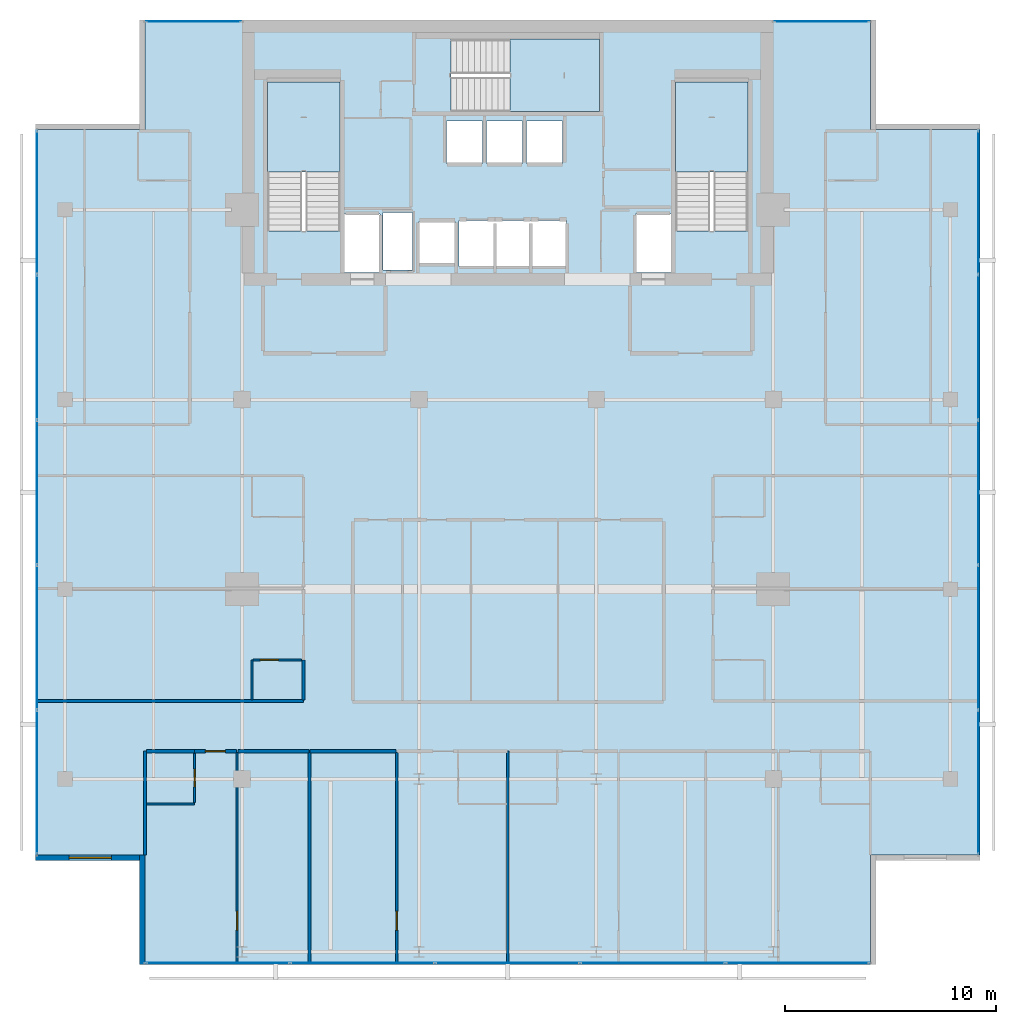
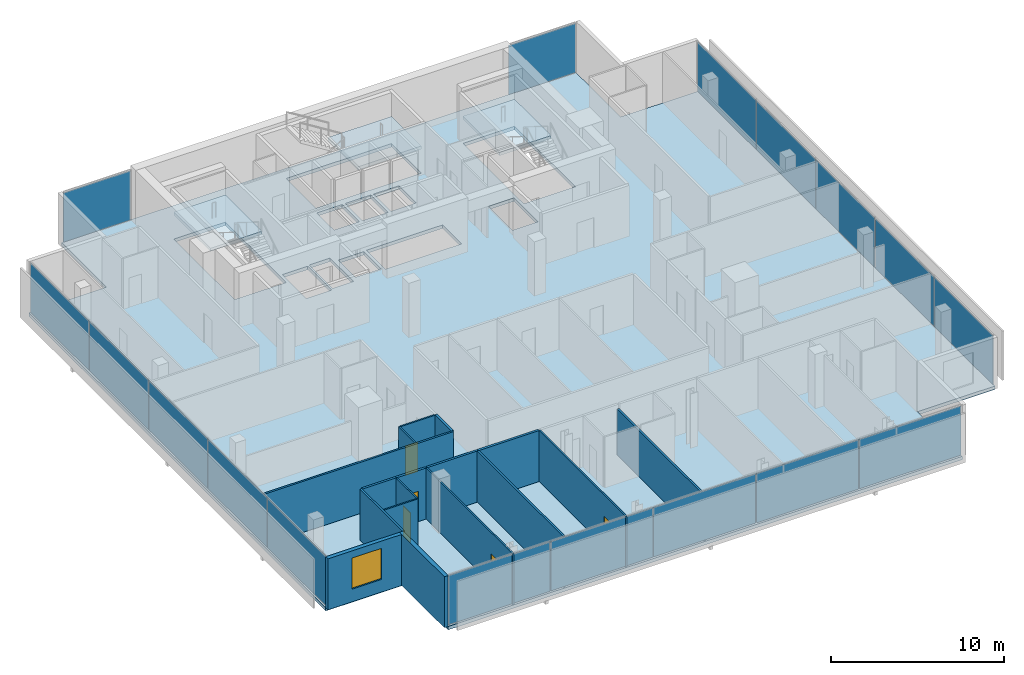
# One storey, part 19 of 25: 17 plates, 17 walls, 5 doors, 4 slabs, 1 window, 6 openings, 8 elements without a shape of their own.
"""IFC4 building model written with IfcOpenShell, lengths in metres."""

from ifc_helpers import new_model, si_unit, direction, frame, frame_2d, origin, origin_2d, place, context, subcontext, project, spatial, polyline, rectangle, outline, extrude, material, layer, layer_set, type_object, element, fill, aggregate, save


model = new_model("IFC4")

# Units and contexts
model_context = context("Model", 3, precision=1e-05, world=origin(), true_north=direction((0.0, 1.0)))
body_context = subcontext(model_context, "Body", "Model", "MODEL_VIEW")
ifc_project = project(units=[si_unit("LENGTHUNIT", "METRE"), si_unit("AREAUNIT", "SQUARE_METRE"), si_unit("VOLUMEUNIT", "CUBIC_METRE"), si_unit("PLANEANGLEUNIT", "RADIAN"), si_unit("MASSUNIT", "GRAM", prefix="KILO")], contexts=[model_context])

# Site, building, storey
site_placement = place(None, origin())
site = spatial("IfcSite", under=ifc_project, at=site_placement, CompositionType="ELEMENT")
building_placement = place(site_placement, origin())
building = spatial("IfcBuilding", under=site, at=building_placement, Name="Maruvema Waterfront Hotel and Observation Tower", CompositionType="ELEMENT")
storey_placement = place(building_placement, frame((0.0, 0.0, 308.699951171875)))
storey = spatial("IfcBuildingStorey", under=building, at=storey_placement, Name="L76", CompositionType="ELEMENT", Elevation=308.699951171875)

# Slab
ifc_material_1 = material(Name="Concrete C50/60", Category="concrete")
ifc_layer_1 = layer(ifc_material_1, 0.239990234375, Name="Reinforced Concrete Floor Slab 240 mm")
ifc_layer_set_1 = layer_set([ifc_layer_1], Name="Concrete C50/60")
slab_type_1 = type_object("IfcSlabType", Name="Reinforced Concrete Floor Slab 240 mm", PredefinedType="FLOOR", material=ifc_layer_set_1)
slab_1_placement = place(storey_placement, frame((0.0, 0.0, -0.239990234375)))
element("IfcSlab", 1, at=slab_1_placement, inside=storey, type_object=slab_type_1, Name="L76 Structural Floor Slab", PredefinedType="FLOOR", context=body_context, shape_type="SweptSolid", body=[
    extrude(outline(polyline([(20.60009765625, 9.199951171875), (55.0, 9.199951171875), (55.0, 14.39990234375), (60.199951171875, 14.39990234375), (60.199951171875, 48.800048828125), (55.0, 48.800048828125), (55.0, 54.0), (20.60009765625, 54.0), (20.60009765625, 48.800048828125), (15.39990234375, 48.800048828125), (15.39990234375, 14.39990234375), (20.60009765625, 14.39990234375), (20.60009765625, 9.199951171875)]), holes=[polyline([(26.39990234375, 44.00048828125), (26.39990234375, 51.050048828125), (29.85009765625, 51.050048828125), (29.85009765625, 44.00048828125), (26.39990234375, 44.00048828125)]), polyline([(30.050048828125, 44.800048828125), (31.75, 44.800048828125), (31.75, 42.02001953125), (30.050048828125, 42.02001953125), (30.050048828125, 44.800048828125)]), polyline([(31.8798828125, 42.139892578125), (31.8798828125, 44.860107421875), (33.280029296875, 44.860107421875), (33.280029296875, 42.139892578125), (31.8798828125, 42.139892578125)]), polyline([(33.60009765625, 44.449951171875), (35.300048828125, 44.449951171875), (35.300048828125, 42.449951171875), (33.60009765625, 42.449951171875), (33.60009765625, 44.449951171875)]), polyline([(34.89990234375, 49.199951171875), (36.60009765625, 49.199951171875), (36.60009765625, 47.199951171875), (34.89990234375, 47.199951171875), (34.89990234375, 49.199951171875)]), polyline([(36.800048828125, 47.199951171875), (36.800048828125, 49.199951171875), (38.5, 49.199951171875), (38.5, 47.199951171875), (36.800048828125, 47.199951171875)]), polyline([(35.5, 42.300048828125), (35.5, 44.5), (40.60009765625, 44.5), (40.60009765625, 42.300048828125), (35.5, 42.300048828125)]), polyline([(35.1005859375, 53.10009765625), (42.14990234375, 53.10009765625), (42.14990234375, 49.64990234375), (35.1005859375, 49.64990234375), (35.1005859375, 53.10009765625)]), polyline([(38.699951171875, 49.199951171875), (40.39990234375, 49.199951171875), (40.39990234375, 47.199951171875), (38.699951171875, 47.199951171875), (38.699951171875, 49.199951171875)]), polyline([(43.85009765625, 44.800048828125), (45.550048828125, 44.800048828125), (45.550048828125, 42.02001953125), (43.85009765625, 42.02001953125), (43.85009765625, 44.800048828125)]), polyline([(45.75, 44.00048828125), (45.75, 51.050048828125), (49.199951171875, 51.050048828125), (49.199951171875, 44.00048828125), (45.75, 44.00048828125)])]), origin(), (0.0, 0.0, 1.0), 0.239990234375),
])

# Curtain wall, plates
ifc_material_2 = material(Name="Anodised bronze aluminium and solar-control low-E IGU", Category="aluminium")
ifc_layer_2 = layer(ifc_material_2, 0.159912109375, Name="Zone 3 Champagne Inner Thermal Curtain Wall System CW-04")
ifc_layer_set_2 = layer_set([ifc_layer_2], Name="Anodised bronze aluminium and solar-control low-E IGU")
curtain_wall_type = type_object("IfcCurtainWallType", Name="Zone 3 Champagne Inner Thermal Curtain Wall System CW-04", PredefinedType="USERDEFINED", material=ifc_layer_set_2)
curtain_wall_1_placement = place(storey_placement, origin())
curtain_wall_1 = element("IfcCurtainWall", 2, at=curtain_wall_1_placement, inside=storey, type_object=curtain_wall_type, Name="L76 Curtain Wall CW-L76-S", ObjectType="UNITISED CURTAIN WALL", PredefinedType="USERDEFINED")
ifc_material_3 = material(Name="Laminated low-E solar-control double glazing", Category="glass")
ifc_layer_3 = layer(ifc_material_3, 0.035888671875, Name="Solar Control Double-Glazed Curtain Panel 36 mm")
ifc_layer_set_3 = layer_set([ifc_layer_3], Name="Laminated low-E solar-control double glazing")
plate_type = type_object("IfcPlateType", Name="Solar Control Double-Glazed Curtain Panel 36 mm", PredefinedType="CURTAIN_PANEL", material=ifc_layer_set_3)
plate_1_placement = place(storey_placement, frame((24.054931640625, 9.280029296875, 0.06005859375), z_axis=(0.0, 0.0, 1.0), x_axis=(1.0, 0.0, 0.0)))
plate_1 = element("IfcPlate", 3, at=plate_1_placement, type_object=plate_type, Name="CW-04 panel 1.1", PredefinedType="CURTAIN_PANEL", context=body_context, shape_type="SweptSolid", body=[
    extrude(rectangle(XDim=6.7900390625, YDim=0.028076171875, at=origin_2d()), origin(), (0.0, 0.0, 1.0), 3.489990234375),
])
plate_2_placement = place(storey_placement, frame((30.919921875, 9.280029296875, 0.06005859375), z_axis=(0.0, 0.0, 1.0), x_axis=(1.0, 0.0, 0.0)))
plate_2 = element("IfcPlate", 4, at=plate_2_placement, type_object=plate_type, Name="CW-04 panel 2.1", PredefinedType="CURTAIN_PANEL", context=body_context, shape_type="SweptSolid", body=[
    extrude(rectangle(XDim=6.820068359375, YDim=0.028076171875, at=origin_2d()), origin(), (0.0, 0.0, 1.0), 3.489990234375),
])
plate_3_placement = place(storey_placement, frame((37.800048828125, 9.280029296875, 0.06005859375), z_axis=(0.0, 0.0, 1.0), x_axis=(1.0, 0.0, 0.0)))
plate_3 = element("IfcPlate", 5, at=plate_3_placement, type_object=plate_type, Name="CW-04 panel 3.1", PredefinedType="CURTAIN_PANEL", context=body_context, shape_type="SweptSolid", body=[
    extrude(rectangle(XDim=6.820068359375, YDim=0.028076171875, at=origin_2d()), origin(), (0.0, 0.0, 1.0), 3.489990234375),
])
plate_4_placement = place(storey_placement, frame((44.679931640625, 9.280029296875, 0.06005859375), z_axis=(0.0, 0.0, 1.0), x_axis=(1.0, 0.0, 0.0)))
plate_4 = element("IfcPlate", 6, at=plate_4_placement, type_object=plate_type, Name="CW-04 panel 4.1", PredefinedType="CURTAIN_PANEL", context=body_context, shape_type="SweptSolid", body=[
    extrude(rectangle(XDim=6.820068359375, YDim=0.028076171875, at=origin_2d()), origin(), (0.0, 0.0, 1.0), 3.489990234375),
])
plate_5_placement = place(storey_placement, frame((51.544921875, 9.280029296875, 0.06005859375), z_axis=(0.0, 0.0, 1.0), x_axis=(1.0, 0.0, 0.0)))
plate_5 = element("IfcPlate", 7, at=plate_5_placement, type_object=plate_type, Name="CW-04 panel 5.1", PredefinedType="CURTAIN_PANEL", context=body_context, shape_type="SweptSolid", body=[
    extrude(rectangle(XDim=6.7900390625, YDim=0.028076171875, at=origin_2d()), origin(), (0.0, 0.0, 1.0), 3.489990234375),
])
aggregate(curtain_wall_1, [plate_1, plate_2, plate_3, plate_4, plate_5])

curtain_wall_2_placement = place(storey_placement, origin())
curtain_wall_2 = element("IfcCurtainWall", 8, at=curtain_wall_2_placement, inside=storey, type_object=curtain_wall_type, Name="L76 Curtain Wall CW-L76-E", ObjectType="UNITISED CURTAIN WALL", PredefinedType="USERDEFINED")
plate_6_placement = place(storey_placement, frame((60.1201171875, 17.85498046875, 0.06005859375), z_axis=(0.0, 0.0, 1.0), x_axis=(0.0, 1.0, 0.0)))
plate_6 = element("IfcPlate", 9, at=plate_6_placement, type_object=plate_type, Name="CW-04 panel 1.1", PredefinedType="CURTAIN_PANEL", context=body_context, shape_type="SweptSolid", body=[
    extrude(rectangle(XDim=6.7900390625, YDim=0.028076171875, at=origin_2d()), origin(), (0.0, 0.0, 1.0), 3.489990234375),
])
plate_7_placement = place(storey_placement, frame((60.1201171875, 24.719970703125, 0.06005859375), z_axis=(0.0, 0.0, 1.0), x_axis=(0.0, 1.0, 0.0)))
plate_7 = element("IfcPlate", 10, at=plate_7_placement, type_object=plate_type, Name="CW-04 panel 2.1", PredefinedType="CURTAIN_PANEL", context=body_context, shape_type="SweptSolid", body=[
    extrude(rectangle(XDim=6.820068359375, YDim=0.028076171875, at=origin_2d()), origin(), (0.0, 0.0, 1.0), 3.489990234375),
])
plate_8_placement = place(storey_placement, frame((60.1201171875, 31.60009765625, 0.06005859375), z_axis=(0.0, 0.0, 1.0), x_axis=(0.0, 1.0, 0.0)))
plate_8 = element("IfcPlate", 11, at=plate_8_placement, type_object=plate_type, Name="CW-04 panel 3.1", PredefinedType="CURTAIN_PANEL", context=body_context, shape_type="SweptSolid", body=[
    extrude(rectangle(XDim=6.820068359375, YDim=0.028076171875, at=origin_2d()), origin(), (0.0, 0.0, 1.0), 3.489990234375),
])
plate_9_placement = place(storey_placement, frame((60.1201171875, 38.47998046875, 0.06005859375), z_axis=(0.0, 0.0, 1.0), x_axis=(0.0, 1.0, 0.0)))
plate_9 = element("IfcPlate", 12, at=plate_9_placement, type_object=plate_type, Name="CW-04 panel 4.1", PredefinedType="CURTAIN_PANEL", context=body_context, shape_type="SweptSolid", body=[
    extrude(rectangle(XDim=6.820068359375, YDim=0.028076171875, at=origin_2d()), origin(), (0.0, 0.0, 1.0), 3.489990234375),
])
plate_10_placement = place(storey_placement, frame((60.1201171875, 45.344970703125, 0.06005859375), z_axis=(0.0, 0.0, 1.0), x_axis=(0.0, 1.0, 0.0)))
plate_10 = element("IfcPlate", 13, at=plate_10_placement, type_object=plate_type, Name="CW-04 panel 5.1", PredefinedType="CURTAIN_PANEL", context=body_context, shape_type="SweptSolid", body=[
    extrude(rectangle(XDim=6.7900390625, YDim=0.028076171875, at=origin_2d()), origin(), (0.0, 0.0, 1.0), 3.489990234375),
])
aggregate(curtain_wall_2, [plate_6, plate_7, plate_8, plate_9, plate_10])

curtain_wall_3_placement = place(storey_placement, origin())
curtain_wall_3 = element("IfcCurtainWall", 14, at=curtain_wall_3_placement, inside=storey, type_object=curtain_wall_type, Name="L76 Curtain Wall CW-L76-W", ObjectType="UNITISED CURTAIN WALL", PredefinedType="USERDEFINED")
plate_11_placement = place(storey_placement, frame((15.47998046875, 45.344970703125, 0.06005859375), z_axis=(0.0, 0.0, 1.0), x_axis=(0.0, -1.0, 0.0)))
plate_11 = element("IfcPlate", 15, at=plate_11_placement, type_object=plate_type, Name="CW-04 panel 1.1", PredefinedType="CURTAIN_PANEL", context=body_context, shape_type="SweptSolid", body=[
    extrude(rectangle(XDim=6.7900390625, YDim=0.028076171875, at=origin_2d()), origin(), (0.0, 0.0, 1.0), 3.489990234375),
])
plate_12_placement = place(storey_placement, frame((15.47998046875, 38.47998046875, 0.06005859375), z_axis=(0.0, 0.0, 1.0), x_axis=(0.0, -1.0, 0.0)))
plate_12 = element("IfcPlate", 16, at=plate_12_placement, type_object=plate_type, Name="CW-04 panel 2.1", PredefinedType="CURTAIN_PANEL", context=body_context, shape_type="SweptSolid", body=[
    extrude(rectangle(XDim=6.820068359375, YDim=0.028076171875, at=origin_2d()), origin(), (0.0, 0.0, 1.0), 3.489990234375),
])
plate_13_placement = place(storey_placement, frame((15.47998046875, 31.60009765625, 0.06005859375), z_axis=(0.0, 0.0, 1.0), x_axis=(0.0, -1.0, 0.0)))
plate_13 = element("IfcPlate", 17, at=plate_13_placement, type_object=plate_type, Name="CW-04 panel 3.1", PredefinedType="CURTAIN_PANEL", context=body_context, shape_type="SweptSolid", body=[
    extrude(rectangle(XDim=6.820068359375, YDim=0.028076171875, at=origin_2d()), origin(), (0.0, 0.0, 1.0), 3.489990234375),
])
plate_14_placement = place(storey_placement, frame((15.47998046875, 24.719970703125, 0.06005859375), z_axis=(0.0, 0.0, 1.0), x_axis=(0.0, -1.0, 0.0)))
plate_14 = element("IfcPlate", 18, at=plate_14_placement, type_object=plate_type, Name="CW-04 panel 4.1", PredefinedType="CURTAIN_PANEL", context=body_context, shape_type="SweptSolid", body=[
    extrude(rectangle(XDim=6.820068359375, YDim=0.028076171875, at=origin_2d()), origin(), (0.0, 0.0, 1.0), 3.489990234375),
])
plate_15_placement = place(storey_placement, frame((15.47998046875, 17.85498046875, 0.06005859375), z_axis=(0.0, 0.0, 1.0), x_axis=(0.0, -1.0, 0.0)))
plate_15 = element("IfcPlate", 19, at=plate_15_placement, type_object=plate_type, Name="CW-04 panel 5.1", PredefinedType="CURTAIN_PANEL", context=body_context, shape_type="SweptSolid", body=[
    extrude(rectangle(XDim=6.7900390625, YDim=0.028076171875, at=origin_2d()), origin(), (0.0, 0.0, 1.0), 3.489990234375),
])
aggregate(curtain_wall_3, [plate_11, plate_12, plate_13, plate_14, plate_15])

# Curtain wall, plate
curtain_wall_4_placement = place(storey_placement, origin())
curtain_wall_4 = element("IfcCurtainWall", 20, at=curtain_wall_4_placement, inside=storey, type_object=curtain_wall_type, Name="L76 Curtain Wall CW-L76-NW", ObjectType="UNITISED CURTAIN WALL", PredefinedType="USERDEFINED")
plate_16_placement = place(storey_placement, frame((22.89990234375, 53.919921875, 0.06005859375), z_axis=(0.0, 0.0, 1.0), x_axis=(-1.0, 0.0, 0.0)))
plate_16 = element("IfcPlate", 21, at=plate_16_placement, type_object=plate_type, Name="CW-04 panel 1.1", PredefinedType="CURTAIN_PANEL", context=body_context, shape_type="SweptSolid", body=[
    extrude(rectangle(XDim=4.47998046875, YDim=0.028076171875, at=origin_2d()), origin(), (0.0, 0.0, 1.0), 3.489990234375),
])
aggregate(curtain_wall_4, [plate_16])

curtain_wall_5_placement = place(storey_placement, origin())
curtain_wall_5 = element("IfcCurtainWall", 22, at=curtain_wall_5_placement, inside=storey, type_object=curtain_wall_type, Name="L76 Curtain Wall CW-L76-NE", ObjectType="UNITISED CURTAIN WALL", PredefinedType="USERDEFINED")
plate_17_placement = place(storey_placement, frame((52.699951171875, 53.919921875, 0.06005859375), z_axis=(0.0, 0.0, 1.0), x_axis=(-1.0, 0.0, 0.0)))
plate_17 = element("IfcPlate", 23, at=plate_17_placement, type_object=plate_type, Name="CW-04 panel 1.1", PredefinedType="CURTAIN_PANEL", context=body_context, shape_type="SweptSolid", body=[
    extrude(rectangle(XDim=4.47998046875, YDim=0.028076171875, at=origin_2d()), origin(), (0.0, 0.0, 1.0), 3.489990234375),
])
aggregate(curtain_wall_5, [plate_17])

# Stair, slab
ifc_material_4 = material(Name="Concrete C50/60", Category="concrete")
stair_type = type_object("IfcStairType", Name="Dogleg Exit Stair 1650 mm (22R x 175.0 mm)", PredefinedType="HALF_TURN_STAIR", material=ifc_material_4)
stair_1_placement = place(storey_placement, origin())
stair_1 = element("IfcStair", 24, at=stair_1_placement, inside=storey, type_object=stair_type, Name="L76 ST-01", PredefinedType="HALF_TURN_STAIR")
ifc_material_5 = material(Name="Concrete C50/60", Category="concrete")
ifc_layer_4 = layer(ifc_material_5, 0.219970703125, Name="Stair Concrete Landing Slab 220 mm")
ifc_layer_set_4 = layer_set([ifc_layer_4], Name="Concrete C50/60")
slab_type_2 = type_object("IfcSlabType", Name="Stair Concrete Landing Slab 220 mm", PredefinedType="LANDING", material=ifc_layer_set_4)
slab_2_placement = place(storey_placement, frame((0.0, 0.0, 1.705078125)))
slab_2 = element("IfcSlab", 25, at=slab_2_placement, type_object=slab_type_2, Name="ST-01 landing 1", PredefinedType="LANDING", context=body_context, shape_type="SweptSolid", body=[
    extrude(outline(polyline([(29.85009765625, 46.800048828125), (29.85009765625, 51.050048828125), (26.39990234375, 51.050048828125), (26.39990234375, 46.800048828125), (29.85009765625, 46.800048828125)])), origin(), (0.0, 0.0, 1.0), 0.219970703125),
])
aggregate(stair_1, [slab_2])

stair_2_placement = place(storey_placement, origin())
stair_2 = element("IfcStair", 26, at=stair_2_placement, inside=storey, type_object=stair_type, Name="L76 ST-02", PredefinedType="HALF_TURN_STAIR")
slab_3_placement = place(storey_placement, frame((0.0, 0.0, 1.705078125)))
slab_3 = element("IfcSlab", 27, at=slab_3_placement, type_object=slab_type_2, Name="ST-02 landing 1", PredefinedType="LANDING", context=body_context, shape_type="SweptSolid", body=[
    extrude(outline(polyline([(37.89990234375, 49.64990234375), (42.14990234375, 49.64990234375), (42.14990234375, 53.10009765625), (37.89990234375, 53.10009765625), (37.89990234375, 49.64990234375)])), origin(), (0.0, 0.0, 1.0), 0.219970703125),
])
aggregate(stair_2, [slab_3])

stair_3_placement = place(storey_placement, origin())
stair_3 = element("IfcStair", 28, at=stair_3_placement, inside=storey, type_object=stair_type, Name="L76 ST-03", PredefinedType="HALF_TURN_STAIR")
slab_4_placement = place(storey_placement, frame((0.0, 0.0, 1.705078125)))
slab_4 = element("IfcSlab", 29, at=slab_4_placement, type_object=slab_type_2, Name="ST-03 landing 1", PredefinedType="LANDING", context=body_context, shape_type="SweptSolid", body=[
    extrude(outline(polyline([(49.199951171875, 46.800048828125), (49.199951171875, 51.050048828125), (45.75, 51.050048828125), (45.75, 46.800048828125), (49.199951171875, 46.800048828125)])), origin(), (0.0, 0.0, 1.0), 0.219970703125),
])
aggregate(stair_3, [slab_4])

# Wall
ifc_material_6 = material(Name="Twin-stud acoustic gypsum drywall", Category="gypsum")
ifc_layer_5 = layer(ifc_material_6, 0.14990234375, Name="Acoustic Corridor and Suite Demising Wall 150 mm")
ifc_layer_set_5 = layer_set([ifc_layer_5], Name="Twin-stud acoustic gypsum drywall")
wall_type_1 = type_object("IfcWallType", Name="Acoustic Corridor and Suite Demising Wall 150 mm", PredefinedType="PARTITIONING", material=ifc_layer_set_5)
wall_1_placement = place(storey_placement, frame((20.679931640625, 19.320068359375, 0.0), z_axis=(0.0, 0.0, 1.0), x_axis=(1.0, 0.0, 0.0)))
element("IfcWall", 30, at=wall_1_placement, inside=storey, type_object=wall_type_1, Name="L76 Bath L76-S1 Back Wall 033", PredefinedType="PARTITIONING", context=body_context, shape_type="SweptSolid", body=[
    extrude(rectangle(XDim=2.27001953125, YDim=0.14990234375, at=frame_2d((1.135009765625, 0.0))), origin(), (0.0, 0.0, 1.0), 3.610107421875),
])

# Wall, opening, door
wall_2_placement = place(storey_placement, frame((22.949951171875, 19.320068359375, 0.0), z_axis=(0.0, 0.0, 1.0), x_axis=(1.0, 0.0, 0.0)))
wall_2 = element("IfcWall", 31, at=wall_2_placement, inside=storey, type_object=wall_type_1, Name="L76 Unit L76-S1 Corridor Wall 036", PredefinedType="PARTITIONING", context=body_context, shape_type="SweptSolid", body=[
    extrude(rectangle(XDim=1.97802734375, YDim=0.14990234375, at=frame_2d((0.989013671875, 0.0))), origin(), (0.0, 0.0, 1.0), 3.610107421875),
])
opening_1_placement = place(wall_2_placement, frame((0.513916015625, 0.0, 0.0)))
opening_1 = element("IfcOpeningElement", 32, at=opening_1_placement, cuts=wall_2, Name="Opening DR-095", PredefinedType="OPENING", context=body_context, shape_type="SweptSolid", body=[
    extrude(rectangle(XDim=0.949951171875, YDim=2.14990234375, at=frame_2d((0.47509765625, 1.074951171875))), frame((0.0, 0.0849609375, 0.0), z_axis=(0.0, -1.0, 0.0), x_axis=(1.0, 0.0, 0.0)), (0.0, 0.0, 1.0), 0.169921875),
])
ifc_material_7 = material(Name="Acoustic solid-core hardwood timber leaf", Category="wood")
door_type_1 = type_object("IfcDoorType", Name="Guestroom Entrance Fire Door 950x2150 mm", OperationType="NOTDEFINED", PredefinedType="DOOR", material=ifc_material_7)
door_1_placement = place(opening_1_placement, frame((0.949951171875, 0.0, 0.0), z_axis=(0.0, 0.0, 1.0), x_axis=(-1.0, 0.0, 0.0)))
door_1 = element("IfcDoor", 33, at=door_1_placement, inside=storey, type_object=door_type_1, Name="L76 Unit L76-S1 Entrance Door", OperationType="SINGLE_SWING_LEFT", OverallHeight=2.14990234375, OverallWidth=0.949951171875, PredefinedType="DOOR", context=body_context, shape_type="SweptSolid", body=[
    extrude(rectangle(XDim=0.949951171875, YDim=2.14990234375, at=frame_2d((0.47509765625, 1.074951171875))), frame((0.0, 0.02490234375, 0.0), z_axis=(0.0, -1.0, 0.0), x_axis=(1.0, 0.0, 0.0)), (0.0, 0.0, 1.0), 0.050048828125),
])
fill(opening_1, door_1)

# Walls
wall_3_placement = place(storey_placement, frame((25.008056640625, 19.320068359375, 0.0), z_axis=(0.0, 0.0, 1.0), x_axis=(1.0, 0.0, 0.0)))
element("IfcWall", 34, at=wall_3_placement, inside=storey, type_object=wall_type_1, Name="L76 Bedroom L76-S1 Back Wall 037", PredefinedType="PARTITIONING", context=body_context, shape_type="SweptSolid", body=[
    extrude(rectangle(XDim=3.371826171875, YDim=0.14990234375, at=frame_2d((1.68603515625, 0.0))), origin(), (0.0, 0.0, 1.0), 3.610107421875),
])
wall_4_placement = place(storey_placement, frame((28.419921875, 19.320068359375, 0.0), z_axis=(0.0, 0.0, 1.0), x_axis=(1.0, 0.0, 0.0)))
element("IfcWall", 35, at=wall_4_placement, inside=storey, type_object=wall_type_1, Name="L76 Bedroom L76-S2 Back Wall 043", PredefinedType="PARTITIONING", context=body_context, shape_type="SweptSolid", body=[
    extrude(rectangle(XDim=4.076171875, YDim=0.14990234375, at=frame_2d((2.0380859375, 0.0))), origin(), (0.0, 0.0, 1.0), 3.610107421875),
])
wall_5_placement = place(storey_placement, frame((28.1201171875, 21.760009765625, 0.0), z_axis=(0.0, 0.0, 1.0), x_axis=(0.0, 1.0, 0.0)))
element("IfcWall", 36, at=wall_5_placement, inside=storey, type_object=wall_type_1, Name="L76 Bath L76-W1 Wall 064", PredefinedType="PARTITIONING", context=body_context, shape_type="SweptSolid", body=[
    extrude(rectangle(XDim=1.889892578125, YDim=0.14990234375, at=frame_2d((0.94482421875, 0.0))), origin(), (0.0, 0.0, 1.0), 3.610107421875),
])
ifc_material_8 = material(Name="Moisture-resistant cement-board drywall", Category="gypsum")
ifc_layer_6 = layer(ifc_material_8, 0.10009765625, Name="En-Suite Moisture-Resistant Partition 100 mm")
ifc_layer_set_6 = layer_set([ifc_layer_6], Name="Moisture-resistant cement-board drywall")
wall_type_2 = type_object("IfcWallType", Name="En-Suite Moisture-Resistant Partition 100 mm", PredefinedType="PARTITIONING", material=ifc_layer_set_6)
wall_6_placement = place(storey_placement, frame((20.679931640625, 16.820068359375, 0.0), z_axis=(0.0, 0.0, 1.0), x_axis=(1.0, 0.0, 0.0)))
element("IfcWall", 37, at=wall_6_placement, inside=storey, type_object=wall_type_2, Name="L76 En-Suite L76-S1 South 034", PredefinedType="PARTITIONING", context=body_context, shape_type="SweptSolid", body=[
    extrude(rectangle(XDim=2.27001953125, YDim=0.10009765625, at=frame_2d((1.135009765625, 0.0))), origin(), (0.0, 0.0, 1.0), 3.610107421875),
])

# Wall, opening, door
wall_7_placement = place(storey_placement, frame((22.949951171875, 16.8798828125, 0.0), z_axis=(0.0, 0.0, 1.0), x_axis=(0.0, 1.0, 0.0)))
wall_7 = element("IfcWall", 38, at=wall_7_placement, inside=storey, type_object=wall_type_2, Name="L76 En-Suite L76-S1 East 035", PredefinedType="PARTITIONING", context=body_context, shape_type="SweptSolid", body=[
    extrude(rectangle(XDim=2.340087890625, YDim=0.10009765625, at=frame_2d((1.169921875, 0.0))), origin(), (0.0, 0.0, 1.0), 3.610107421875),
])
opening_2_placement = place(wall_7_placement, frame((0.7451171875, 0.0, 0.0)))
opening_2 = element("IfcOpeningElement", 39, at=opening_2_placement, cuts=wall_7, Name="Opening DR-085", PredefinedType="OPENING", context=body_context, shape_type="SweptSolid", body=[
    extrude(rectangle(XDim=0.85009765625, YDim=2.10009765625, at=frame_2d((0.425048828125, 1.050048828125))), frame((0.0, 0.06005859375, 0.0), z_axis=(0.0, -1.0, 0.0), x_axis=(1.0, 0.0, 0.0)), (0.0, 0.0, 1.0), 0.1201171875),
])
ifc_material_9 = material(Name="Moisture-resistant solid timber leaf", Category="wood")
door_type_2 = type_object("IfcDoorType", Name="En-Suite Bathroom Door 850x2100 mm", OperationType="NOTDEFINED", PredefinedType="DOOR", material=ifc_material_9)
door_2_placement = place(opening_2_placement, frame((0.85009765625, 0.0, 0.0), z_axis=(0.0, 0.0, 1.0), x_axis=(-1.0, 0.0, 0.0)))
door_2 = element("IfcDoor", 40, at=door_2_placement, inside=storey, type_object=door_type_2, Name="L76 En-Suite L76-S1 Door", OperationType="SINGLE_SWING_RIGHT", OverallHeight=2.10009765625, OverallWidth=0.85009765625, PredefinedType="DOOR", context=body_context, shape_type="SweptSolid", body=[
    extrude(rectangle(XDim=0.85009765625, YDim=2.10009765625, at=frame_2d((0.425048828125, 1.050048828125))), frame((0.0, 0.02490234375, 0.0), z_axis=(0.0, -1.0, 0.0), x_axis=(1.0, 0.0, 0.0)), (0.0, 0.0, 1.0), 0.050048828125),
])
fill(opening_2, door_2)

wall_8_placement = place(storey_placement, frame((24.968017578125, 9.22998046875, 0.0), z_axis=(0.0, 0.0, 1.0), x_axis=(0.0, 1.0, 0.0)))
wall_8 = element("IfcWall", 41, at=wall_8_placement, inside=storey, type_object=wall_type_2, Name="L76 Suite L76-S1 Split 038", PredefinedType="PARTITIONING", context=body_context, shape_type="SweptSolid", body=[
    extrude(rectangle(XDim=10.030029296875, YDim=0.10009765625, at=frame_2d((5.01513671875, 0.0))), origin(), (0.0, 0.0, 1.0), 3.610107421875),
])
opening_3_placement = place(wall_8_placement, frame((1.60009765625, 0.0, 0.0)))
opening_3 = element("IfcOpeningElement", 42, at=opening_3_placement, cuts=wall_8, Name="Opening DR-090", PredefinedType="OPENING", context=body_context, shape_type="SweptSolid", body=[
    extrude(rectangle(XDim=0.89990234375, YDim=2.10009765625, at=frame_2d((0.449951171875, 1.050048828125))), frame((0.0, 0.06005859375, 0.0), z_axis=(0.0, -1.0, 0.0), x_axis=(1.0, 0.0, 0.0)), (0.0, 0.0, 1.0), 0.1201171875),
])
ifc_material_10 = material(Name="Solid-core lacquered timber leaf", Category="wood")
door_type_3 = type_object("IfcDoorType", Name="Accessible Toilet and Room Door 900x2100 mm", OperationType="NOTDEFINED", PredefinedType="DOOR", material=ifc_material_10)
door_3_placement = place(opening_3_placement, origin())
door_3 = element("IfcDoor", 43, at=door_3_placement, inside=storey, type_object=door_type_3, Name="L76 Suite L76-S1 Bedroom Door", OperationType="SINGLE_SWING_RIGHT", OverallHeight=2.10009765625, OverallWidth=0.89990234375, PredefinedType="DOOR", context=body_context, shape_type="SweptSolid", body=[
    extrude(rectangle(XDim=0.89990234375, YDim=2.10009765625, at=frame_2d((0.449951171875, 1.050048828125))), frame((0.0, 0.02490234375, 0.0), z_axis=(0.0, -1.0, 0.0), x_axis=(1.0, 0.0, 0.0)), (0.0, 0.0, 1.0), 0.050048828125),
])
fill(opening_3, door_3)

wall_9_placement = place(storey_placement, frame((32.535888671875, 9.22998046875, 0.0), z_axis=(0.0, 0.0, 1.0), x_axis=(0.0, 1.0, 0.0)))
wall_9 = element("IfcWall", 44, at=wall_9_placement, inside=storey, type_object=wall_type_2, Name="L76 Suite L76-S2 Split 045", PredefinedType="PARTITIONING", context=body_context, shape_type="SweptSolid", body=[
    extrude(rectangle(XDim=10.030029296875, YDim=0.10009765625, at=frame_2d((5.01513671875, 0.0))), origin(), (0.0, 0.0, 1.0), 3.610107421875),
])
opening_4_placement = place(wall_9_placement, frame((1.60009765625, 0.0, 0.0)))
opening_4 = element("IfcOpeningElement", 45, at=opening_4_placement, cuts=wall_9, Name="Opening DR-090", PredefinedType="OPENING", context=body_context, shape_type="SweptSolid", body=[
    extrude(rectangle(XDim=0.89990234375, YDim=2.10009765625, at=frame_2d((0.449951171875, 1.050048828125))), frame((0.0, 0.06005859375, 0.0), z_axis=(0.0, -1.0, 0.0), x_axis=(1.0, 0.0, 0.0)), (0.0, 0.0, 1.0), 0.1201171875),
])
door_4_placement = place(opening_4_placement, frame((0.89990234375, 0.0, 0.0), z_axis=(0.0, 0.0, 1.0), x_axis=(-1.0, 0.0, 0.0)))
door_4 = element("IfcDoor", 46, at=door_4_placement, inside=storey, type_object=door_type_3, Name="L76 Suite L76-S2 Bedroom Door", OperationType="SINGLE_SWING_LEFT", OverallHeight=2.10009765625, OverallWidth=0.89990234375, PredefinedType="DOOR", context=body_context, shape_type="SweptSolid", body=[
    extrude(rectangle(XDim=0.89990234375, YDim=2.10009765625, at=frame_2d((0.449951171875, 1.050048828125))), frame((0.0, 0.02490234375, 0.0), z_axis=(0.0, -1.0, 0.0), x_axis=(1.0, 0.0, 0.0)), (0.0, 0.0, 1.0), 0.050048828125),
])
fill(opening_4, door_4)

# Wall
wall_10_placement = place(storey_placement, frame((25.669921875, 21.760009765625, 0.0), z_axis=(0.0, 0.0, 1.0), x_axis=(0.0, 1.0, 0.0)))
element("IfcWall", 47, at=wall_10_placement, inside=storey, type_object=wall_type_2, Name="L76 En-Suite L76-W1 W 066", PredefinedType="PARTITIONING", context=body_context, shape_type="SweptSolid", body=[
    extrude(rectangle(XDim=1.889892578125, YDim=0.10009765625, at=frame_2d((0.94482421875, 0.0))), origin(), (0.0, 0.0, 1.0), 3.610107421875),
])

# Wall, opening, door
wall_11_placement = place(storey_placement, frame((25.719970703125, 23.64990234375, 0.0), z_axis=(0.0, 0.0, 1.0), x_axis=(1.0, 0.0, 0.0)))
wall_11 = element("IfcWall", 48, at=wall_11_placement, inside=storey, type_object=wall_type_2, Name="L76 En-Suite L76-W1 N 067", PredefinedType="PARTITIONING", context=body_context, shape_type="SweptSolid", body=[
    extrude(rectangle(XDim=2.300048828125, YDim=0.10009765625, at=frame_2d((1.14990234375, 0.0))), origin(), (0.0, 0.0, 1.0), 3.610107421875),
])
opening_5_placement = place(wall_11_placement, frame((0.35009765625, 0.0, 0.0)))
opening_5 = element("IfcOpeningElement", 49, at=opening_5_placement, cuts=wall_11, Name="Opening DR-085", PredefinedType="OPENING", context=body_context, shape_type="SweptSolid", body=[
    extrude(rectangle(XDim=0.85009765625, YDim=2.10009765625, at=frame_2d((0.425048828125, 1.050048828125))), frame((0.0, 0.06005859375, 0.0), z_axis=(0.0, -1.0, 0.0), x_axis=(1.0, 0.0, 0.0)), (0.0, 0.0, 1.0), 0.1201171875),
])
door_5_placement = place(opening_5_placement, origin())
door_5 = element("IfcDoor", 50, at=door_5_placement, inside=storey, type_object=door_type_2, Name="L76 En-Suite L76-W1 Door", OperationType="SINGLE_SWING_RIGHT", OverallHeight=2.10009765625, OverallWidth=0.85009765625, PredefinedType="DOOR", context=body_context, shape_type="SweptSolid", body=[
    extrude(rectangle(XDim=0.85009765625, YDim=2.10009765625, at=frame_2d((0.425048828125, 1.050048828125))), frame((0.0, 0.02490234375, 0.0), z_axis=(0.0, -1.0, 0.0), x_axis=(1.0, 0.0, 0.0)), (0.0, 0.0, 1.0), 0.050048828125),
])
fill(opening_5, door_5)

# Wall
ifc_material_11 = material(Name="Precast concrete C45/55 with honed Pernambuco granite facing", Category="masonry")
ifc_layer_7 = layer(ifc_material_11, 0.260009765625, Name="Exterior Granite Clad Spandrel and Pier Wall 260 mm")
ifc_layer_set_7 = layer_set([ifc_layer_7], Name="Precast concrete C45/55 with honed Pernambuco granite facing")
wall_type_3 = type_object("IfcWallType", Name="Exterior Granite Clad Spandrel and Pier Wall 260 mm", PredefinedType="SOLIDWALL", material=ifc_layer_set_7)
wall_12_placement = place(storey_placement, frame((20.469970703125, 9.199951171875, 0.0), z_axis=(0.0, 0.0, 1.0), x_axis=(0.0, 1.0, 0.0)))
element("IfcWall", 51, at=wall_12_placement, inside=storey, type_object=wall_type_3, Name="L76 Corner Notch Granite Pier Wall SW1", PredefinedType="SOLIDWALL", context=body_context, shape_type="SweptSolid", body=[
    extrude(rectangle(XDim=5.199951171875, YDim=0.260009765625, at=frame_2d((2.60009765625, 0.0))), origin(), (0.0, 0.0, 1.0), 3.610107421875),
])

# Wall, opening, window
wall_13_placement = place(storey_placement, frame((20.60009765625, 14.27001953125, 0.0), z_axis=(0.0, 0.0, 1.0), x_axis=(-1.0, 0.0, 0.0)))
wall_13 = element("IfcWall", 52, at=wall_13_placement, inside=storey, type_object=wall_type_3, Name="L76 Corner Notch Granite Pier Wall SW2", PredefinedType="SOLIDWALL", context=body_context, shape_type="SweptSolid", body=[
    extrude(rectangle(XDim=5.2001953125, YDim=0.260009765625, at=frame_2d((2.60009765625, 0.0))), origin(), (0.0, 0.0, 1.0), 3.610107421875),
])
opening_6_placement = place(wall_13_placement, frame((1.60009765625, 0.0, 0.89990234375)))
opening_6 = element("IfcOpeningElement", 53, at=opening_6_placement, cuts=wall_13, Name="Opening WN-03", PredefinedType="OPENING", context=body_context, shape_type="SweptSolid", body=[
    extrude(rectangle(XDim=2.0, YDim=2.199951171875, at=frame_2d((1.0, 1.10009765625))), frame((0.0, 0.14013671875, 0.0), z_axis=(0.0, -1.0, 0.0), x_axis=(1.0, 0.0, 0.0)), (0.0, 0.0, 1.0), 0.280029296875),
])
ifc_material_12 = material(Name="Anodised bronze aluminium frame with laminated low-E glass", Category="aluminium")
window_type = type_object("IfcWindowType", Name="Sky Suite Panoramic Notch Window 2000x2200 mm", PartitioningType="SINGLE_PANEL", PredefinedType="WINDOW", material=ifc_material_12)
window_placement = place(opening_6_placement, origin())
window = element("IfcWindow", 54, at=window_placement, inside=storey, type_object=window_type, Name="L76 Corner Notch Punched Window SW2", OverallHeight=2.199951171875, OverallWidth=2.0, PartitioningType="SINGLE_PANEL", PredefinedType="WINDOW", context=body_context, shape_type="SweptSolid", body=[
    extrude(rectangle(XDim=2.0, YDim=2.199951171875, at=frame_2d((1.0, 1.10009765625))), frame((0.0, 0.030029296875, 0.0), z_axis=(0.0, -1.0, 0.0), x_axis=(1.0, 0.0, 0.0)), (0.0, 0.0, 1.0), 0.06005859375),
])
fill(opening_6, window)

# Walls
ifc_material_13 = material(Name="Acoustic gypsum plasterboard drywall", Category="gypsum")
ifc_layer_8 = layer(ifc_material_13, 0.125, Name="Guestroom Acoustic Demising Wall 125 mm")
ifc_layer_set_8 = layer_set([ifc_layer_8], Name="Acoustic gypsum plasterboard drywall")
wall_type_4 = type_object("IfcWallType", Name="Guestroom Acoustic Demising Wall 125 mm", PredefinedType="PARTITIONING", material=ifc_layer_set_8)
wall_14_placement = place(storey_placement, frame((20.60009765625, 14.39990234375, 0.0), z_axis=(0.0, 0.0, 1.0), x_axis=(0.0, 1.0, 0.0)))
element("IfcWall", 55, at=wall_14_placement, inside=storey, type_object=wall_type_4, Name="L76 Z3 S West End 031", PredefinedType="PARTITIONING", context=body_context, shape_type="SweptSolid", body=[
    extrude(rectangle(XDim=4.920166015625, YDim=0.125, at=frame_2d((2.4599609375, 0.0))), origin(), (0.0, 0.0, 1.0), 3.610107421875),
])
wall_15_placement = place(storey_placement, frame((28.39990234375, 9.300048828125, 0.0), z_axis=(0.0, 0.0, 1.0), x_axis=(0.0, 1.0, 0.0)))
element("IfcWall", 56, at=wall_15_placement, inside=storey, type_object=wall_type_4, Name="L76 Z3 S Demising 2 039", PredefinedType="PARTITIONING", context=body_context, shape_type="SweptSolid", body=[
    extrude(rectangle(XDim=10.02001953125, YDim=0.125, at=frame_2d((5.010009765625, 0.0))), origin(), (0.0, 0.0, 1.0), 3.610107421875),
])
wall_16_placement = place(storey_placement, frame((37.800048828125, 9.300048828125, 0.0), z_axis=(0.0, 0.0, 1.0), x_axis=(0.0, 1.0, 0.0)))
element("IfcWall", 57, at=wall_16_placement, inside=storey, type_object=wall_type_4, Name="L76 Z3 S Demising 3 046", PredefinedType="PARTITIONING", context=body_context, shape_type="SweptSolid", body=[
    extrude(rectangle(XDim=10.02001953125, YDim=0.125, at=frame_2d((5.010009765625, 0.0))), origin(), (0.0, 0.0, 1.0), 3.255126953125),
])
wall_17_placement = place(storey_placement, frame((15.5, 21.699951171875, 0.0), z_axis=(0.0, 0.0, 1.0), x_axis=(1.0, 0.0, 0.0)))
element("IfcWall", 58, at=wall_17_placement, inside=storey, type_object=wall_type_4, Name="L76 Z3 W Bot End 060", PredefinedType="PARTITIONING", context=body_context, shape_type="SweptSolid", body=[
    extrude(rectangle(XDim=12.6201171875, YDim=0.125, at=frame_2d((6.31005859375, 0.0))), origin(), (0.0, 0.0, 1.0), 3.610107421875),
])

save(model, "model.ifc")
